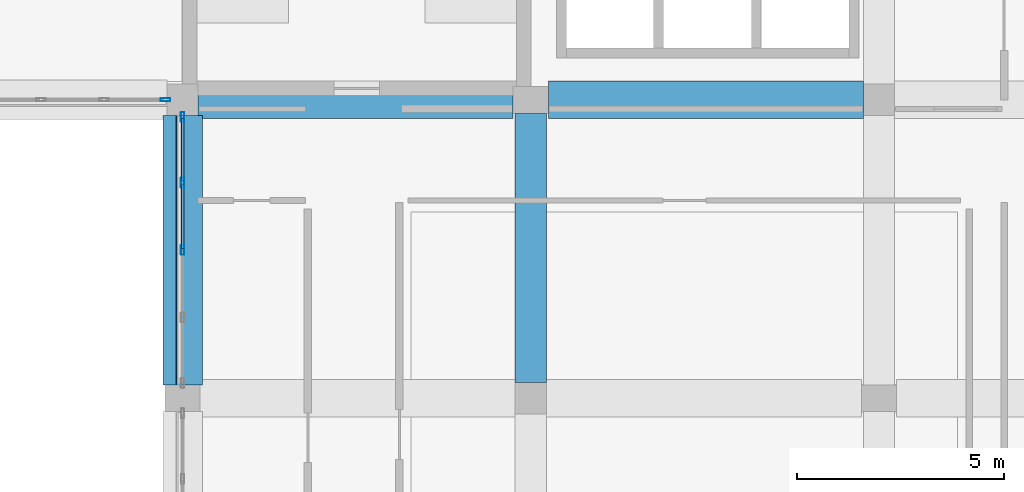
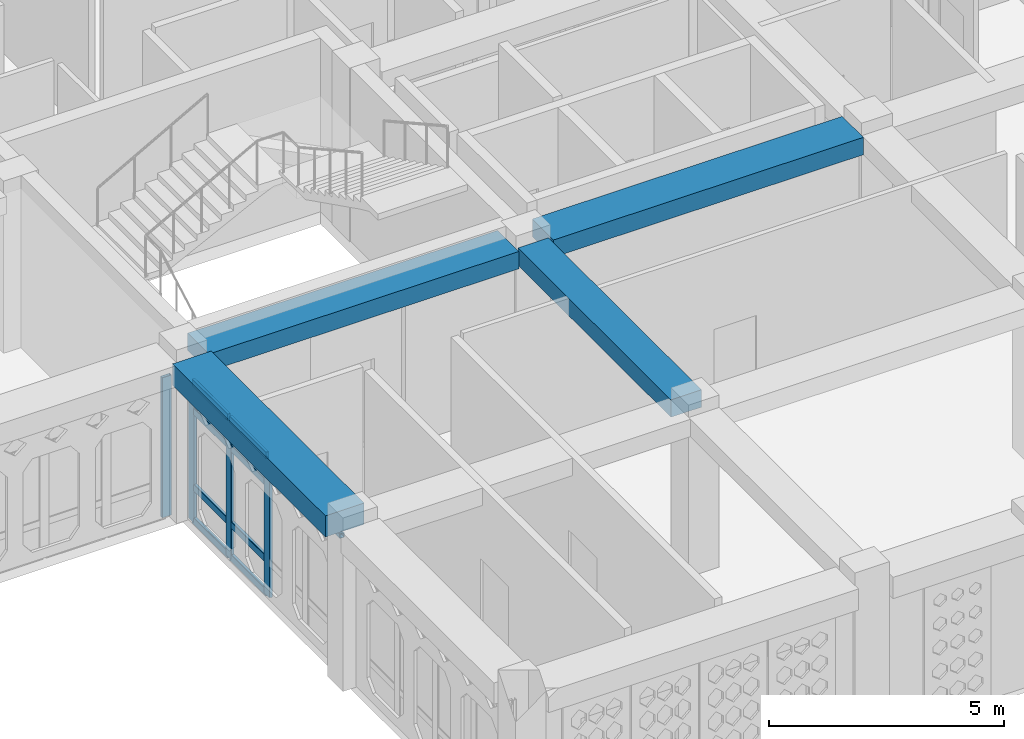
# One storey, part 5 of 100: 13 members, 4 beams, 2 elements without a shape of their own.
"""IFC4 building model written with IfcOpenShell, lengths in metres."""

from ifc_helpers import new_model, si_unit, derived_unit, direction, frame, origin, origin_2d, place, context, subcontext, project, spatial, rectangle, hollow_rectangle, extrude, material, material_profile, profile_set, type_object, element, aggregate, save


model = new_model("IFC4")

# Units and contexts
model_context = context("Model", 3, precision=1e-05, world=origin(), true_north=direction((0.0, 1.0)))
body_context = subcontext(model_context, "Body", "Model", "MODEL_VIEW")
ifc_project = project(units=[si_unit("LENGTHUNIT", "METRE"), si_unit("AREAUNIT", "SQUARE_METRE"), si_unit("VOLUMEUNIT", "CUBIC_METRE"), si_unit("PLANEANGLEUNIT", "RADIAN"), si_unit("MASSUNIT", "GRAM", prefix="KILO"), derived_unit("THERMALTRANSMITTANCEUNIT", [(si_unit("POWERUNIT", "WATT"), 1), (si_unit("LENGTHUNIT", "METRE"), -2), (si_unit("THERMODYNAMICTEMPERATUREUNIT", "KELVIN"), -1)])], contexts=[model_context])

# Site, building, storey
site_placement = place(None, origin())
site = spatial("IfcSite", under=ifc_project, at=site_placement, CompositionType="ELEMENT")
building_placement = place(site_placement, origin())
building = spatial("IfcBuilding", under=site, at=building_placement, Name="Veybourne Emporium", CompositionType="ELEMENT")
storey_placement = place(building_placement, frame((0.0, 0.0, 14.39990234375)))
storey = spatial("IfcBuildingStorey", under=building, at=storey_placement, Name="L03", CompositionType="ELEMENT", Elevation=14.39990234375)

# Curtain wall, member
ifc_material_1 = material(Name="Patinated Architectural Bronze", Category="bronze")
curtain_wall_type_1 = type_object("IfcCurtainWallType", Name="CWSystem_CWS-07", PredefinedType="NOTDEFINED", material=ifc_material_1)
curtain_wall_1_placement = place(storey_placement, origin())
curtain_wall_1 = element("IfcCurtainWall", 1, at=curtain_wall_1_placement, inside=storey, type_object=curtain_wall_type_1, Name="L03 bronze glazed curtain wall CWS-07 (008)", PredefinedType="NOTDEFINED")
ifc_material_profile_1 = material_profile(ifc_material_1, hollow_rectangle(XDim=0.077880859375, YDim=0.235107421875, WallThickness=0.0048828125, InnerFilletRadius=0.007568359375, OuterFilletRadius=0.012451171875, at=origin_2d()), Name="CWM 78x235x5")
ifc_profile_set_1 = profile_set([ifc_material_profile_1], Name="Patinated Architectural Bronze")
member_type_1 = type_object("IfcMemberType", Name="CWMullion_CW-M3", PredefinedType="MULLION", material=ifc_profile_set_1)
member_1_placement = place(storey_placement, frame((16.385986328125, 14.39990234375, 0.0), z_axis=(0.0, 0.0, 1.0), x_axis=(0.0, -1.0, 0.0)))
member_1 = element("IfcMember", 2, at=member_1_placement, type_object=member_type_1, Name="CWS-07 mullion 1", PredefinedType="MULLION", context=body_context, shape_type="SweptSolid", body=[
    extrude(hollow_rectangle(XDim=0.077880859375, YDim=0.235107421875, WallThickness=0.0048828125, InnerFilletRadius=0.007568359375, OuterFilletRadius=0.012451171875, at=origin_2d()), origin(), (0.0, 0.0, 1.0), 3.630126953125),
])
aggregate(curtain_wall_1, [member_1])

# Curtain wall, members
curtain_wall_type_2 = type_object("IfcCurtainWallType", Name="CWSystem_CWS-11", PredefinedType="NOTDEFINED", material=ifc_material_1)
curtain_wall_2_placement = place(storey_placement, origin())
curtain_wall_2 = element("IfcCurtainWall", 3, at=curtain_wall_2_placement, inside=storey, type_object=curtain_wall_type_2, Name="L03 bronze glazed curtain wall CWS-11 (016)", PredefinedType="NOTDEFINED")
member_2_placement = place(storey_placement, frame((16.800048828125, 10.77490234375, 0.0), z_axis=(0.0, 0.0, 1.0), x_axis=(-1.0, 0.0, 0.0)))
member_2 = element("IfcMember", 4, at=member_2_placement, type_object=member_type_1, Name="CWS-11 mullion 3", PredefinedType="MULLION", context=body_context, shape_type="SweptSolid", body=[
    extrude(hollow_rectangle(XDim=0.077880859375, YDim=0.235107421875, WallThickness=0.0048828125, InnerFilletRadius=0.007568359375, OuterFilletRadius=0.012451171875, at=origin_2d()), origin(), (0.0, 0.0, 1.0), 3.630126953125),
])
member_3_placement = place(storey_placement, frame((16.800048828125, 12.39990234375, 0.0), z_axis=(0.0, 0.0, 1.0), x_axis=(-1.0, 0.0, 0.0)))
member_3 = element("IfcMember", 5, at=member_3_placement, type_object=member_type_1, Name="CWS-11 mullion 4", PredefinedType="MULLION", context=body_context, shape_type="SweptSolid", body=[
    extrude(hollow_rectangle(XDim=0.077880859375, YDim=0.235107421875, WallThickness=0.0048828125, InnerFilletRadius=0.007568359375, OuterFilletRadius=0.012451171875, at=origin_2d()), origin(), (0.0, 0.0, 1.0), 3.630126953125),
])
member_4_placement = place(storey_placement, frame((16.800048828125, 13.986083984375, 0.0), z_axis=(0.0, 0.0, 1.0), x_axis=(-1.0, 0.0, 0.0)))
member_4 = element("IfcMember", 6, at=member_4_placement, type_object=member_type_1, Name="CWS-11 mullion 5", PredefinedType="MULLION", context=body_context, shape_type="SweptSolid", body=[
    extrude(hollow_rectangle(XDim=0.077880859375, YDim=0.235107421875, WallThickness=0.0048828125, InnerFilletRadius=0.007568359375, OuterFilletRadius=0.012451171875, at=origin_2d()), origin(), (0.0, 0.0, 1.0), 3.630126953125),
])
ifc_material_profile_2 = material_profile(ifc_material_1, hollow_rectangle(XDim=0.077880859375, YDim=0.18505859375, WallThickness=0.0048828125, InnerFilletRadius=0.007568359375, OuterFilletRadius=0.012451171875, at=origin_2d()), Name="CWT 78x185x5")
ifc_profile_set_2 = profile_set([ifc_material_profile_2], Name="Patinated Architectural Bronze")
member_type_2 = type_object("IfcMemberType", Name="CWTransom_CW-T3", PredefinedType="NOTDEFINED", material=ifc_profile_set_2)
member_5_placement = place(storey_placement, frame((16.800048828125, 10.81396484375, 0.0390625), z_axis=(0.0, 1.0, 0.0), x_axis=(-1.0, 0.0, 0.0)))
member_5 = element("IfcMember", 7, at=member_5_placement, type_object=member_type_2, Name="CWS-11 transom 3.1", ObjectType="TRANSOM", PredefinedType="USERDEFINED", context=body_context, shape_type="SweptSolid", body=[
    extrude(hollow_rectangle(XDim=0.077880859375, YDim=0.18505859375, WallThickness=0.0048828125, InnerFilletRadius=0.007568359375, OuterFilletRadius=0.012451171875, at=origin_2d()), origin(), (0.0, 0.0, 1.0), 1.547119140625),
])
member_6_placement = place(storey_placement, frame((16.800048828125, 10.81396484375, 0.900146484375), z_axis=(0.0, 1.0, 0.0), x_axis=(-1.0, 0.0, 0.0)))
member_6 = element("IfcMember", 8, at=member_6_placement, type_object=member_type_2, Name="CWS-11 transom 3.2", ObjectType="TRANSOM", PredefinedType="USERDEFINED", context=body_context, shape_type="SweptSolid", body=[
    extrude(hollow_rectangle(XDim=0.077880859375, YDim=0.18505859375, WallThickness=0.0048828125, InnerFilletRadius=0.007568359375, OuterFilletRadius=0.012451171875, at=origin_2d()), origin(), (0.0, 0.0, 1.0), 1.547119140625),
])
member_7_placement = place(storey_placement, frame((16.800048828125, 10.81396484375, 2.880126953125), z_axis=(0.0, 1.0, 0.0), x_axis=(-1.0, 0.0, 0.0)))
member_7 = element("IfcMember", 9, at=member_7_placement, type_object=member_type_2, Name="CWS-11 transom 3.3", ObjectType="TRANSOM", PredefinedType="USERDEFINED", context=body_context, shape_type="SweptSolid", body=[
    extrude(hollow_rectangle(XDim=0.077880859375, YDim=0.18505859375, WallThickness=0.0048828125, InnerFilletRadius=0.007568359375, OuterFilletRadius=0.012451171875, at=origin_2d()), origin(), (0.0, 0.0, 1.0), 1.547119140625),
])
member_8_placement = place(storey_placement, frame((16.800048828125, 10.81396484375, 3.591064453125), z_axis=(0.0, 1.0, 0.0), x_axis=(-1.0, 0.0, 0.0)))
member_8 = element("IfcMember", 10, at=member_8_placement, type_object=member_type_2, Name="CWS-11 transom 3.4", ObjectType="TRANSOM", PredefinedType="USERDEFINED", context=body_context, shape_type="SweptSolid", body=[
    extrude(hollow_rectangle(XDim=0.077880859375, YDim=0.18505859375, WallThickness=0.0048828125, InnerFilletRadius=0.007568359375, OuterFilletRadius=0.012451171875, at=origin_2d()), origin(), (0.0, 0.0, 1.0), 1.547119140625),
])
member_9_placement = place(storey_placement, frame((16.800048828125, 12.43896484375, 0.0390625), z_axis=(0.0, 1.0, 0.0), x_axis=(-1.0, 0.0, 0.0)))
member_9 = element("IfcMember", 11, at=member_9_placement, type_object=member_type_2, Name="CWS-11 transom 4.1", ObjectType="TRANSOM", PredefinedType="USERDEFINED", context=body_context, shape_type="SweptSolid", body=[
    extrude(hollow_rectangle(XDim=0.077880859375, YDim=0.18505859375, WallThickness=0.0048828125, InnerFilletRadius=0.007568359375, OuterFilletRadius=0.012451171875, at=origin_2d()), origin(), (0.0, 0.0, 1.0), 1.508056640625),
])
member_10_placement = place(storey_placement, frame((16.800048828125, 12.43896484375, 0.900146484375), z_axis=(0.0, 1.0, 0.0), x_axis=(-1.0, 0.0, 0.0)))
member_10 = element("IfcMember", 12, at=member_10_placement, type_object=member_type_2, Name="CWS-11 transom 4.2", ObjectType="TRANSOM", PredefinedType="USERDEFINED", context=body_context, shape_type="SweptSolid", body=[
    extrude(hollow_rectangle(XDim=0.077880859375, YDim=0.18505859375, WallThickness=0.0048828125, InnerFilletRadius=0.007568359375, OuterFilletRadius=0.012451171875, at=origin_2d()), origin(), (0.0, 0.0, 1.0), 1.508056640625),
])
member_11_placement = place(storey_placement, frame((16.800048828125, 12.43896484375, 2.880126953125), z_axis=(0.0, 1.0, 0.0), x_axis=(-1.0, 0.0, 0.0)))
member_11 = element("IfcMember", 13, at=member_11_placement, type_object=member_type_2, Name="CWS-11 transom 4.3", ObjectType="TRANSOM", PredefinedType="USERDEFINED", context=body_context, shape_type="SweptSolid", body=[
    extrude(hollow_rectangle(XDim=0.077880859375, YDim=0.18505859375, WallThickness=0.0048828125, InnerFilletRadius=0.007568359375, OuterFilletRadius=0.012451171875, at=origin_2d()), origin(), (0.0, 0.0, 1.0), 1.508056640625),
])
member_12_placement = place(storey_placement, frame((16.800048828125, 12.43896484375, 3.591064453125), z_axis=(0.0, 1.0, 0.0), x_axis=(-1.0, 0.0, 0.0)))
member_12 = element("IfcMember", 14, at=member_12_placement, type_object=member_type_2, Name="CWS-11 transom 4.4", ObjectType="TRANSOM", PredefinedType="USERDEFINED", context=body_context, shape_type="SweptSolid", body=[
    extrude(hollow_rectangle(XDim=0.077880859375, YDim=0.18505859375, WallThickness=0.0048828125, InnerFilletRadius=0.007568359375, OuterFilletRadius=0.012451171875, at=origin_2d()), origin(), (0.0, 0.0, 1.0), 1.508056640625),
])
aggregate(curtain_wall_2, [member_2, member_3, member_4, member_5, member_6, member_7, member_8, member_9, member_10, member_11, member_12])

# Beams
ifc_material_2 = material(Name="Concrete C32/40", Category="concrete")
ifc_material_profile_3 = material_profile(ifc_material_2, rectangle(XDim=0.89990234375, YDim=0.449951171875, at=origin_2d()), Name="RC 900x450")
ifc_profile_set_3 = profile_set([ifc_material_profile_3], Name="Concrete C32/40")
beam_type_1 = type_object("IfcBeamType", Name="RCBeam_BB-03", PredefinedType="BEAM", material=ifc_profile_set_3)
beam_1_placement = place(storey_placement, frame((17.175048828125, 14.39990234375, 3.955078125), z_axis=(1.0, 0.0, 0.0), x_axis=(0.0, 1.0, 0.0)))
element("IfcBeam", 15, at=beam_1_placement, inside=storey, type_object=beam_type_1, Name="L03 X-grid beam BB-03 (2,2)", PredefinedType="BEAM", context=body_context, shape_type="SweptSolid", body=[
    extrude(rectangle(XDim=0.89990234375, YDim=0.449951171875, at=origin_2d()), origin(), (0.0, 0.0, 1.0), 7.599853515625),
])
beam_2_placement = place(storey_placement, frame((25.625, 14.39990234375, 3.955078125), z_axis=(1.0, 0.0, 0.0), x_axis=(0.0, 1.0, 0.0)))
element("IfcBeam", 16, at=beam_2_placement, inside=storey, type_object=beam_type_1, Name="L03 X-grid beam BB-03 (3,2)", PredefinedType="BEAM", context=body_context, shape_type="SweptSolid", body=[
    extrude(rectangle(XDim=0.89990234375, YDim=0.449951171875, at=origin_2d()), origin(), (0.0, 0.0, 1.0), 7.60009765625),
])
ifc_material_profile_4 = material_profile(ifc_material_2, rectangle(XDim=0.75, YDim=0.449951171875, at=origin_2d()), Name="RC 750x450")
ifc_profile_set_4 = profile_set([ifc_material_profile_4], Name="Concrete C32/40")
beam_type_2 = type_object("IfcBeamType", Name="RCBeam_BB-04", PredefinedType="BEAM", material=ifc_profile_set_4)
beam_3_placement = place(storey_placement, frame((25.199951171875, 7.574951171875, 3.955078125), z_axis=(0.0, 1.0, 0.0), x_axis=(-1.0, 0.0, 0.0)))
element("IfcBeam", 17, at=beam_3_placement, inside=storey, type_object=beam_type_2, Name="L03 Y-grid beam BB-04 (3,1)", PredefinedType="BEAM", context=body_context, shape_type="SweptSolid", body=[
    extrude(rectangle(XDim=0.75, YDim=0.449951171875, at=origin_2d()), origin(), (0.0, 0.0, 1.0), 6.5),
])
ifc_material_profile_5 = material_profile(ifc_material_2, rectangle(XDim=0.949951171875, YDim=0.550048828125, at=origin_2d()), Name="RC 950x550")
ifc_profile_set_5 = profile_set([ifc_material_profile_5], Name="Concrete C32/40")
beam_type_3 = type_object("IfcBeamType", Name="RCBeam_EB-01", PredefinedType="SPANDREL", material=ifc_profile_set_5)
beam_4_placement = place(storey_placement, frame((16.800048828125, 7.52490234375, 3.905029296875), z_axis=(0.0, 1.0, 0.0), x_axis=(-1.0, 0.0, 0.0)))
element("IfcBeam", 18, at=beam_4_placement, inside=storey, type_object=beam_type_3, Name="L03 Y-grid beam EB-01 (2,1)", PredefinedType="SPANDREL", context=body_context, shape_type="SweptSolid", body=[
    extrude(rectangle(XDim=0.949951171875, YDim=0.550048828125, at=origin_2d()), origin(), (0.0, 0.0, 1.0), 6.5),
])

# Member
ifc_material_3 = material(Name="Steel S355", Category="steel")
ifc_material_profile_6 = material_profile(ifc_material_3, hollow_rectangle(XDim=0.1201171875, YDim=0.1201171875, WallThickness=0.00634765625, InnerFilletRadius=0.009521484375, OuterFilletRadius=0.015869140625, at=origin_2d()), Name="SHS 120x120x6.3")
ifc_profile_set_6 = profile_set([ifc_material_profile_6], Name="Steel S355")
member_type_3 = type_object("IfcMemberType", Name="SteelMem_CS-02", PredefinedType="STRUT", material=ifc_profile_set_6)
member_13_placement = place(storey_placement, frame((16.702880859375, 7.47509765625, 3.570068359375), z_axis=(0.0, 1.0, 0.0), x_axis=(-1.0, 0.0, 0.0)))
element("IfcMember", 19, at=member_13_placement, inside=storey, type_object=member_type_3, Name="Corner entrance lattice architrave bar 04", PredefinedType="STRUT", context=body_context, shape_type="SweptSolid", body=[
    extrude(hollow_rectangle(XDim=0.1201171875, YDim=0.1201171875, WallThickness=0.00634765625, InnerFilletRadius=0.009521484375, OuterFilletRadius=0.015869140625, at=origin_2d()), origin(), (0.0, 0.0, 1.0), 6.599853515625),
])

save(model, "model.ifc")
